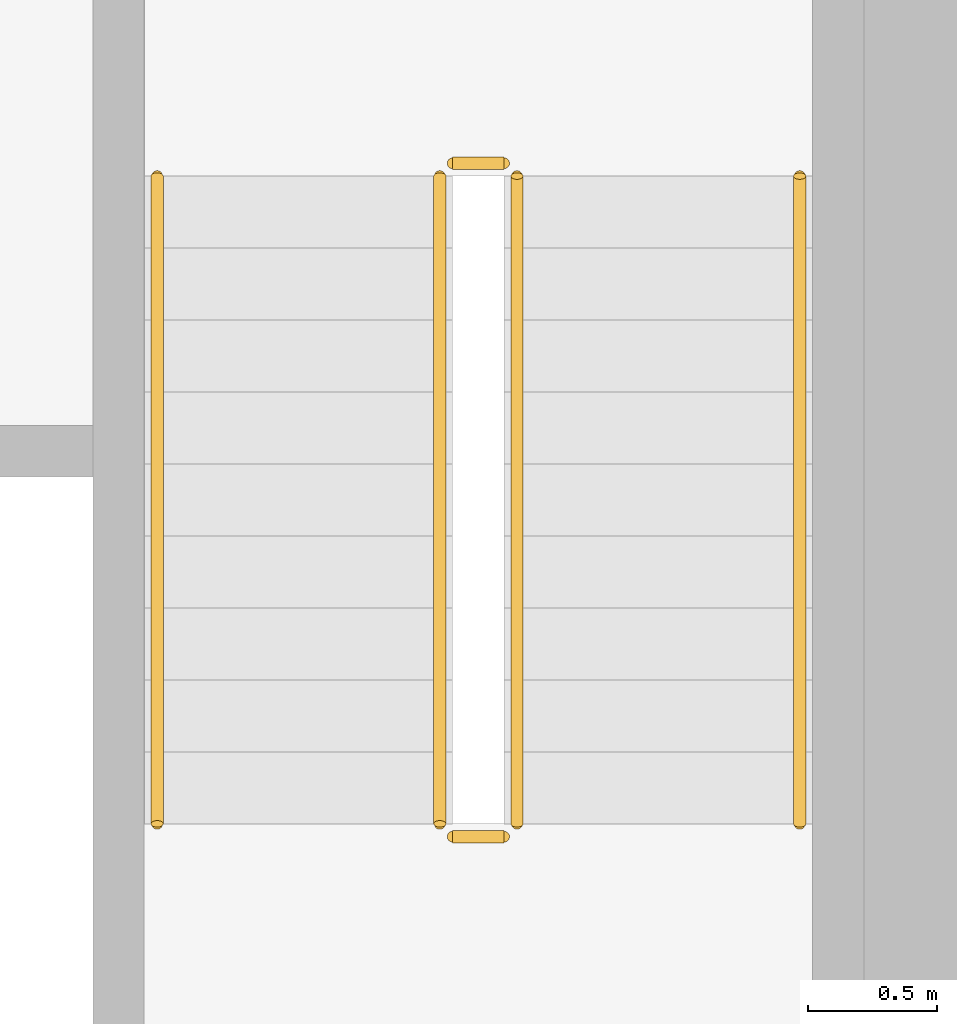
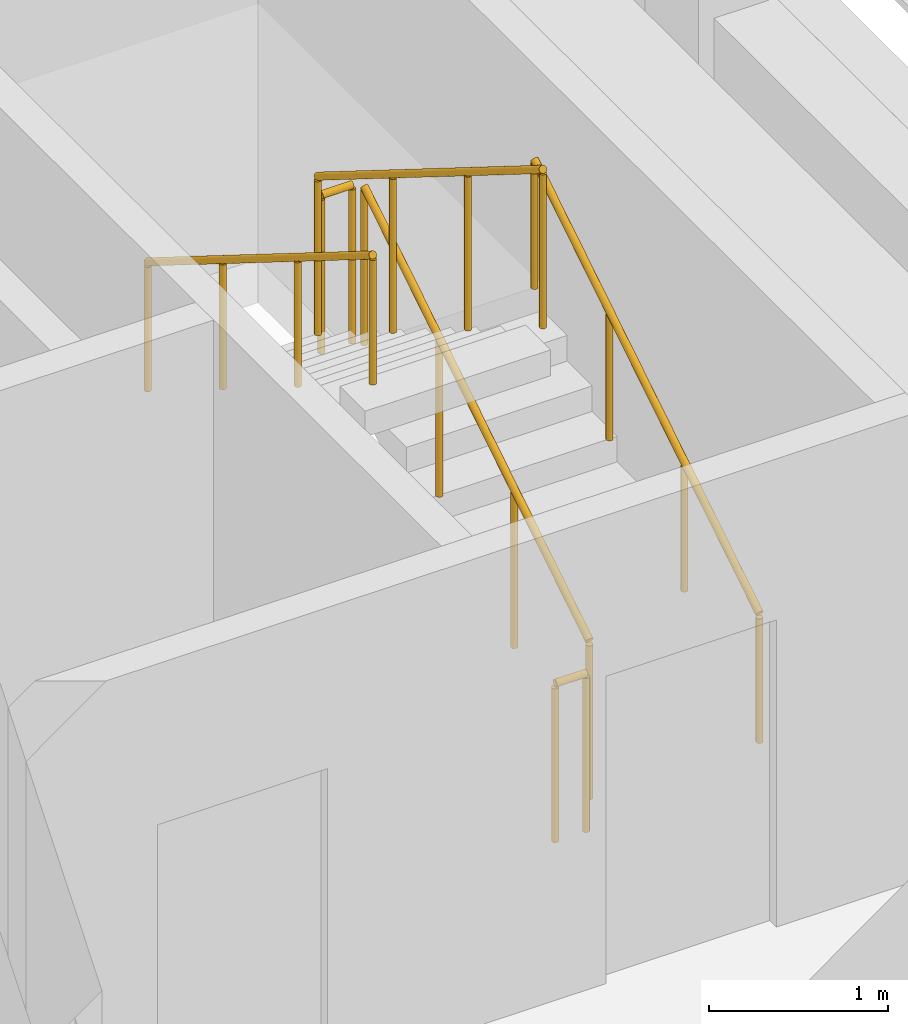
# One storey, part 9 of 11: 6 railings.
"""IFC4 building model written with IfcOpenShell, lengths in metres."""

from ifc_helpers import new_model, si_unit, direction, frame, origin, origin_2d, place, context, subcontext, project, spatial, circle, extrude, material, type_object, element, save


model = new_model("IFC4")

# Units and contexts
model_context = context("Model", 3, precision=1e-05, world=origin(), true_north=direction((0.0, 1.0)))
body_context = subcontext(model_context, "Body", "Model", "MODEL_VIEW")
ifc_project = project(units=[si_unit("LENGTHUNIT", "METRE"), si_unit("AREAUNIT", "SQUARE_METRE"), si_unit("VOLUMEUNIT", "CUBIC_METRE"), si_unit("PLANEANGLEUNIT", "RADIAN"), si_unit("MASSUNIT", "GRAM", prefix="KILO")], contexts=[model_context])

# Site, building, storey
site_placement = place(None, origin())
site = spatial("IfcSite", under=ifc_project, at=site_placement, CompositionType="ELEMENT")
building_placement = place(site_placement, origin())
building = spatial("IfcBuilding", under=site, at=building_placement, Name="Kiln Ring Residences", CompositionType="ELEMENT")
storey_placement = place(building_placement, frame((0.0, 0.0, 303.39990234375)))
storey = spatial("IfcBuildingStorey", under=building, at=storey_placement, Name="L78 Crown", CompositionType="ELEMENT", Elevation=303.39990234375)

# Railings
ifc_material_1 = material(Name="Stainless steel", Category="steel")
railing_type_1 = type_object("IfcRailingType", Name="CORE-STAIR-GUARD", PredefinedType="GUARDRAIL", material=ifc_material_1)
railing_1_placement = place(storey_placement, frame((22.25, -8.39990234375, 0.175048828125)))
element("IfcRailing", 1, at=railing_1_placement, inside=storey, type_object=railing_type_1, Name="L78 Crown E-STS stair guard 1", PredefinedType="GUARDRAIL", context=body_context, shape_type="SweptSolid", body=[
    extrude(circle(Radius=0.02392578125, at=origin_2d()), frame((0.0, 0.0, 1.076171875), z_axis=(0.0, 0.848007534815, 0.529984170421), x_axis=(-1.0, 0.0, 0.0)), (0.0, 0.0, 1.0), 2.9716796875),
    extrude(circle(Radius=0.02099609375, at=origin_2d()), origin(), (0.0, 0.0, 1.0), 1.052001953125),
    extrude(circle(Radius=0.02099609375, at=origin_2d()), frame((0.0, 0.840087890625, 0.52490234375)), (0.0, 0.0, 1.0), 1.052001953125),
    extrude(circle(Radius=0.02099609375, at=origin_2d()), frame((0.0, 1.679931640625, 1.050048828125)), (0.0, 0.0, 1.0), 1.052001953125),
    extrude(circle(Radius=0.02099609375, at=origin_2d()), frame((0.0, 2.52001953125, 1.574951171875)), (0.0, 0.0, 1.0), 1.052001953125),
])
railing_2_placement = place(storey_placement, frame((22.199951171875, -5.830078125, 1.75)))
element("IfcRailing", 2, at=railing_2_placement, inside=storey, type_object=railing_type_1, Name="L78 Crown E-STS stair guard 2", PredefinedType="GUARDRAIL", context=body_context, shape_type="SweptSolid", body=[
    extrude(circle(Radius=0.02392578125, at=origin_2d()), frame((0.0, 0.0, 1.076171875), z_axis=(-1.0, 0.0, 0.0), x_axis=(0.0, -1.0, 0.0)), (0.0, 0.0, 1.0), 0.199951171875),
    extrude(circle(Radius=0.02099609375, at=origin_2d()), origin(), (0.0, 0.0, 1.0), 1.052001953125),
    extrude(circle(Radius=0.02099609375, at=origin_2d()), frame((-0.199951171875, 0.0, 0.0)), (0.0, 0.0, 1.0), 1.052001953125),
])
railing_3_placement = place(storey_placement, frame((21.949951171875, -5.8798828125, 1.925048828125)))
element("IfcRailing", 3, at=railing_3_placement, inside=storey, type_object=railing_type_1, Name="L78 Crown E-STS stair guard 3", PredefinedType="GUARDRAIL", context=body_context, shape_type="SweptSolid", body=[
    extrude(circle(Radius=0.02392578125, at=origin_2d()), frame((0.0, 0.0, 1.076171875), z_axis=(0.0, -0.848007534815, 0.529984170421), x_axis=(1.0, 0.0, 0.0)), (0.0, 0.0, 1.0), 2.9716796875),
    extrude(circle(Radius=0.02099609375, at=origin_2d()), origin(), (0.0, 0.0, 1.0), 1.052001953125),
    extrude(circle(Radius=0.02099609375, at=origin_2d()), frame((0.0, -0.840087890625, 0.52490234375)), (0.0, 0.0, 1.0), 1.052001953125),
    extrude(circle(Radius=0.02099609375, at=origin_2d()), frame((0.0, -1.679931640625, 1.050048828125)), (0.0, 0.0, 1.0), 1.052001953125),
    extrude(circle(Radius=0.02099609375, at=origin_2d()), frame((0.0, -2.52001953125, 1.574951171875)), (0.0, 0.0, 1.0), 1.052001953125),
])
railing_4_placement = place(storey_placement, frame((22.199951171875, -8.449951171875, 0.0)))
element("IfcRailing", 4, at=railing_4_placement, inside=storey, type_object=railing_type_1, Name="L78 Crown E-STS stair guard 4", PredefinedType="GUARDRAIL", context=body_context, shape_type="SweptSolid", body=[
    extrude(circle(Radius=0.02392578125, at=origin_2d()), frame((0.0, 0.0, 1.076171875), z_axis=(-1.0, 0.0, 0.0), x_axis=(0.0, -1.0, 0.0)), (0.0, 0.0, 1.0), 0.199951171875),
    extrude(circle(Radius=0.02099609375, at=origin_2d()), origin(), (0.0, 0.0, 1.0), 1.052001953125),
    extrude(circle(Radius=0.02099609375, at=origin_2d()), frame((-0.199951171875, 0.0, 0.0)), (0.0, 0.0, 1.0), 1.052001953125),
])
ifc_material_2 = material(Name="Stainless steel", Category="steel")
railing_type_2 = type_object("IfcRailingType", Name="CORE-STAIR-HANDRAIL", PredefinedType="HANDRAIL", material=ifc_material_2)
railing_5_placement = place(storey_placement, frame((23.35009765625, -8.39990234375, 0.175048828125)))
element("IfcRailing", 5, at=railing_5_placement, inside=storey, type_object=railing_type_2, Name="L78 Crown E-STS stair handrail 1", PredefinedType="HANDRAIL", context=body_context, shape_type="SweptSolid", body=[
    extrude(circle(Radius=0.02392578125, at=origin_2d()), frame((0.0, 0.0, 0.8759765625), z_axis=(0.0, 0.848007534815, 0.529984170421), x_axis=(-1.0, 0.0, 0.0)), (0.0, 0.0, 1.0), 2.9716796875),
    extrude(circle(Radius=0.02099609375, at=origin_2d()), origin(), (0.0, 0.0, 1.0), 0.851806640625),
    extrude(circle(Radius=0.02099609375, at=origin_2d()), frame((0.0, 0.840087890625, 0.52490234375)), (0.0, 0.0, 1.0), 0.851806640625),
    extrude(circle(Radius=0.02099609375, at=origin_2d()), frame((0.0, 1.679931640625, 1.050048828125)), (0.0, 0.0, 1.0), 0.851806640625),
    extrude(circle(Radius=0.02099609375, at=origin_2d()), frame((0.0, 2.52001953125, 1.574951171875)), (0.0, 0.0, 1.0), 0.851806640625),
])
railing_6_placement = place(storey_placement, frame((20.85009765625, -5.8798828125, 1.925048828125)))
element("IfcRailing", 6, at=railing_6_placement, inside=storey, type_object=railing_type_2, Name="L78 Crown E-STS stair handrail 2", PredefinedType="HANDRAIL", context=body_context, shape_type="SweptSolid", body=[
    extrude(circle(Radius=0.02392578125, at=origin_2d()), frame((0.0, 0.0, 0.8759765625), z_axis=(0.0, -0.848007534815, 0.529984170421), x_axis=(1.0, 0.0, 0.0)), (0.0, 0.0, 1.0), 2.9716796875),
    extrude(circle(Radius=0.02099609375, at=origin_2d()), origin(), (0.0, 0.0, 1.0), 0.851806640625),
    extrude(circle(Radius=0.02099609375, at=origin_2d()), frame((0.0, -0.840087890625, 0.52490234375)), (0.0, 0.0, 1.0), 0.851806640625),
    extrude(circle(Radius=0.02099609375, at=origin_2d()), frame((0.0, -1.679931640625, 1.050048828125)), (0.0, 0.0, 1.0), 0.851806640625),
    extrude(circle(Radius=0.02099609375, at=origin_2d()), frame((0.0, -2.52001953125, 1.574951171875)), (0.0, 0.0, 1.0), 0.851806640625),
])

save(model, "model.ifc")
